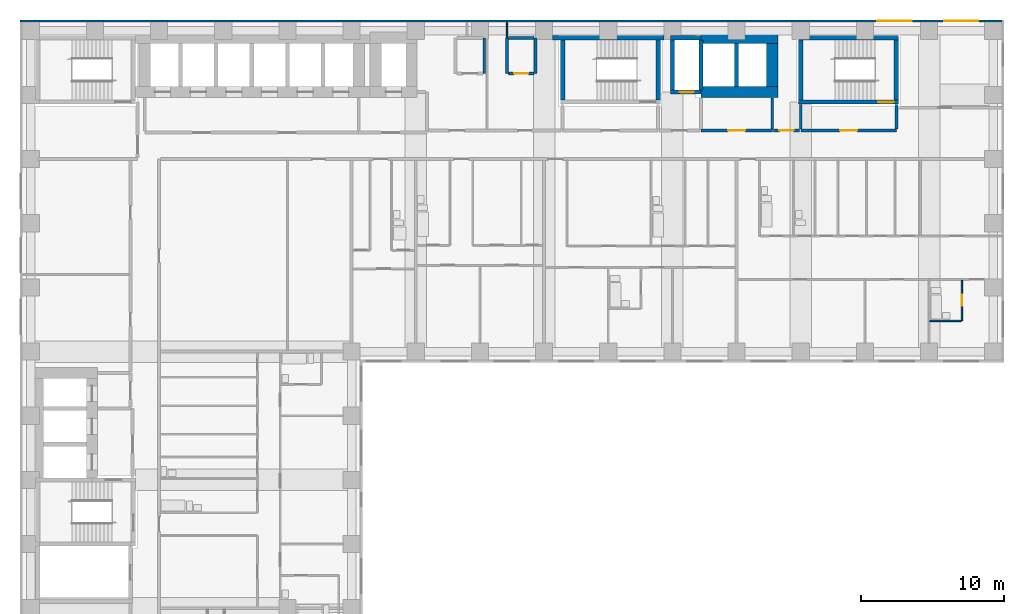
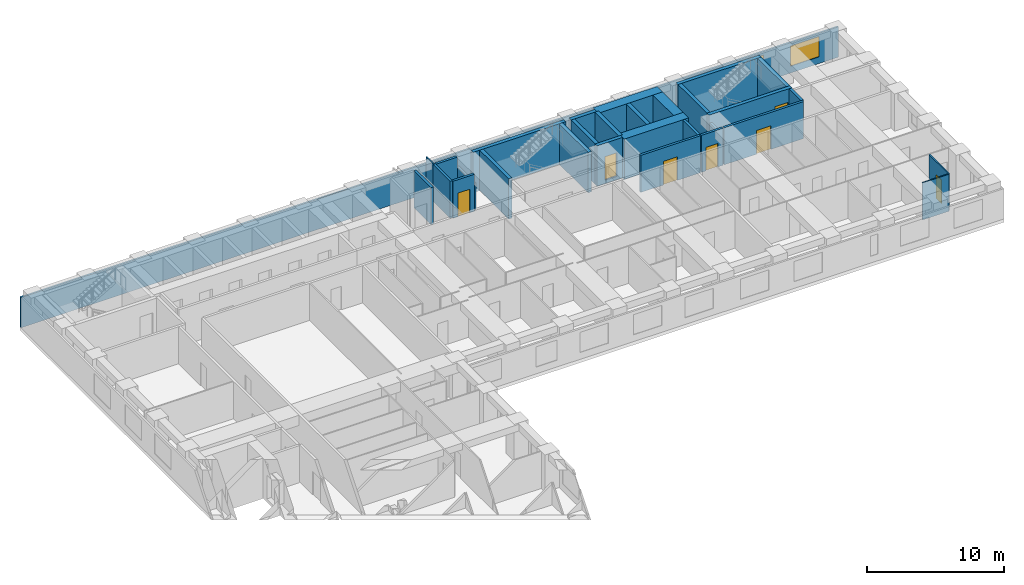
# One storey, part 8 of 12: 30 walls, 7 doors, 2 windows, 9 openings.
"""IFC4 building model written with IfcOpenShell, lengths in metres."""

from ifc_helpers import new_model, si_unit, direction, frame, frame_2d, origin, place, context, subcontext, project, spatial, rectangle, extrude, material, layer, layer_set, type_object, element, fill, save


model = new_model("IFC4")

# Units and contexts
model_context = context("Model", 3, precision=1e-05, world=origin(), true_north=direction((0.0, 1.0)))
body_context = subcontext(model_context, "Body", "Model", "MODEL_VIEW")
ifc_project = project(units=[si_unit("LENGTHUNIT", "METRE"), si_unit("AREAUNIT", "SQUARE_METRE"), si_unit("VOLUMEUNIT", "CUBIC_METRE"), si_unit("PLANEANGLEUNIT", "RADIAN"), si_unit("MASSUNIT", "GRAM", prefix="KILO")], contexts=[model_context])

# Site, building, storey
site_placement = place(None, origin())
site = spatial("IfcSite", under=ifc_project, at=site_placement, CompositionType="ELEMENT")
building_placement = place(site_placement, origin())
building = spatial("IfcBuilding", under=site, at=building_placement, Name="Firuza Court", CompositionType="ELEMENT")
storey_placement = place(building_placement, frame((0.0, 0.0, 101.0)))
storey = spatial("IfcBuildingStorey", under=building, at=storey_placement, Name="L25", CompositionType="ELEMENT", Elevation=101.0)

# Wall
ifc_material_1 = material(Name="Moisture-resistant gypsum board partition")
ifc_layer_1 = layer(ifc_material_1, 0.10009765625)
ifc_layer_set_1 = layer_set([ifc_layer_1], Name="Moisture-resistant gypsum board partition")
wall_type_1 = type_object("IfcWallType", Name="Bathroom partition 100", PredefinedType="PLUMBINGWALL", material=ifc_layer_set_1)
wall_1_placement = place(storey_placement, frame((63.050048828125, 38.14990234375, 0.0), z_axis=(0.0, 0.0, 1.0), x_axis=(1.0, 0.0, 0.0)))
element("IfcWall", 1, at=wall_1_placement, inside=storey, type_object=wall_type_1, Name="Bathroom partition 100 L25", PredefinedType="PLUMBINGWALL", context=body_context, shape_type="SweptSolid", body=[
    extrude(rectangle(XDim=2.199951171875, YDim=0.10009765625, at=frame_2d((1.10009765625, 0.0))), origin(), (0.0, 0.0, 1.0), 3.300048828125),
])

# Wall, opening, door
wall_2_placement = place(storey_placement, frame((65.300048828125, 38.14990234375, 0.0), z_axis=(0.0, 0.0, 1.0), x_axis=(0.0, 1.0, 0.0)))
wall_2 = element("IfcWall", 2, at=wall_2_placement, inside=storey, type_object=wall_type_1, Name="Bathroom partition 100 L25", PredefinedType="PLUMBINGWALL", context=body_context, shape_type="SweptSolid", body=[
    extrude(rectangle(XDim=2.85009765625, YDim=0.10009765625, at=frame_2d((1.425048828125, 0.0))), origin(), (0.0, 0.0, 1.0), 3.300048828125),
])
opening_1_placement = place(wall_2_placement, frame((1.050048828125, 0.0, 0.0)))
opening_1 = element("IfcOpeningElement", 3, at=opening_1_placement, cuts=wall_2, Name="Opening D25042", PredefinedType="OPENING", context=body_context, shape_type="SweptSolid", body=[
    extrude(rectangle(XDim=0.800048828125, YDim=2.10009765625, at=frame_2d((0.39990234375, 1.050048828125))), frame((0.0, 0.06201171875, 0.0), z_axis=(0.0, -1.0, 0.0), x_axis=(1.0, 0.0, 0.0)), (0.0, 0.0, 1.0), 0.1240234375),
])
ifc_material_2 = material(Name="Timber door leaf in hardwood frame", Category="wood")
door_type_1 = type_object("IfcDoorType", Name="Bathroom door 800", OperationType="SINGLE_SWING_LEFT", PredefinedType="DOOR", material=ifc_material_2)
door_1_placement = place(opening_1_placement, origin())
door_1 = element("IfcDoor", 4, at=door_1_placement, inside=storey, type_object=door_type_1, Name="En-suite door", OperationType="SINGLE_SWING_LEFT", OverallHeight=2.10009765625, OverallWidth=0.800048828125, PredefinedType="DOOR", context=body_context, shape_type="SweptSolid", body=[
    extrude(rectangle(XDim=0.800048828125, YDim=2.10009765625, at=frame_2d((0.39990234375, 1.050048828125))), frame((0.0, 0.02490234375, 0.0), z_axis=(0.0, -1.0, 0.0), x_axis=(1.0, 0.0, 0.0)), (0.0, 0.0, 1.0), 0.050048828125),
])
fill(opening_1, door_1)

# Walls
ifc_material_3 = material(Name="Concrete C60/75", Category="concrete")
ifc_layer_2 = layer(ifc_material_3, 0.300048828125)
ifc_layer_set_2 = layer_set([ifc_layer_2], Name="Concrete C60/75")
wall_type_2 = type_object("IfcWallType", Name="Core wall 300 C60/75", PredefinedType="SHEAR", material=ifc_layer_set_2)
wall_3_placement = place(storey_placement, frame((36.60009765625, 58.0, -0.300048828125), z_axis=(0.0, 0.0, 1.0), x_axis=(1.0, 0.0, 0.0)))
element("IfcWall", 5, at=wall_3_placement, inside=storey, type_object=wall_type_2, Name="Core wall stair L25", PredefinedType="SHEAR", context=body_context, shape_type="SweptSolid", body=[
    extrude(rectangle(XDim=7.7998046875, YDim=0.300048828125, at=frame_2d((3.89990234375, 0.0))), origin(), (0.0, 0.0, 1.0), 3.60009765625),
])
for number, where, z_axis, x_axis, name in (
    (6, (37.300048828125, 53.64990234375, -0.300048828125), (0.0, 0.0, 1.0), (0.0, 1.0, 0.0), "Core wall stair L25"),
    (7, (44.0, 53.64990234375, -0.300048828125), (0.0, 0.0, 1.0), (0.0, 1.0, 0.0), "Core wall stair L25"),
):
    element("IfcWall", number, at=place(storey_placement, frame(where, z_axis=z_axis, x_axis=x_axis)), inside=storey, type_object=wall_type_2, Name=name, PredefinedType="SHEAR", context=body_context, shape_type="SweptSolid", body=[
        extrude(rectangle(XDim=4.2001953125, YDim=0.300048828125, at=frame_2d((2.10009765625, 0.0))), origin(), (0.0, 0.0, 1.0), 3.60009765625),
    ])

# Wall, opening, door
wall_4_placement = place(storey_placement, frame((44.85009765625, 54.199951171875, -0.300048828125), z_axis=(0.0, 0.0, 1.0), x_axis=(1.0, 0.0, 0.0)))
wall_4 = element("IfcWall", 8, at=wall_4_placement, inside=storey, type_object=wall_type_2, Name="Core wall riser L25", PredefinedType="SHEAR", context=body_context, shape_type="SweptSolid", body=[
    extrude(rectangle(XDim=2.14990234375, YDim=0.300048828125, at=frame_2d((1.074951171875, 0.0))), origin(), (0.0, 0.0, 1.0), 3.60009765625),
])
opening_2_placement = place(wall_4_placement, frame((0.64990234375, 0.0, 0.300048828125)))
opening_2 = element("IfcOpeningElement", 9, at=opening_2_placement, cuts=wall_4, Name="Opening D25011", PredefinedType="OPENING", context=body_context, shape_type="SweptSolid", body=[
    extrude(rectangle(XDim=1.0, YDim=2.10009765625, at=frame_2d((0.5, 1.050048828125))), frame((0.0, 0.162109375, 0.0), z_axis=(0.0, -1.0, 0.0), x_axis=(1.0, 0.0, 0.0)), (0.0, 0.0, 1.0), 0.323974609375),
])
ifc_material_4 = material(Name="Timber door leaf in hardwood frame", Category="wood")
door_type_2 = type_object("IfcDoorType", Name="Riser door 1000", OperationType="SINGLE_SWING_LEFT", PredefinedType="DOOR", material=ifc_material_4)
door_2_placement = place(opening_2_placement, origin())
door_2 = element("IfcDoor", 10, at=door_2_placement, inside=storey, type_object=door_type_2, Name="Riser door R3", OperationType="SINGLE_SWING_LEFT", OverallHeight=2.10009765625, OverallWidth=1.0, PredefinedType="DOOR", context=body_context, shape_type="SweptSolid", body=[
    extrude(rectangle(XDim=1.0, YDim=2.10009765625, at=frame_2d((0.5, 1.050048828125))), frame((0.0, 0.02490234375, 0.0), z_axis=(0.0, -1.0, 0.0), x_axis=(1.0, 0.0, 0.0)), (0.0, 0.0, 1.0), 0.050048828125),
])
fill(opening_2, door_2)

# Walls
wall_5_placement = place(storey_placement, frame((44.85009765625, 58.0, -0.300048828125), z_axis=(0.0, 0.0, 1.0), x_axis=(1.0, 0.0, 0.0)))
element("IfcWall", 11, at=wall_5_placement, inside=storey, type_object=wall_type_2, Name="Core wall riser L25", PredefinedType="SHEAR", context=body_context, shape_type="SweptSolid", body=[
    extrude(rectangle(XDim=2.14990234375, YDim=0.300048828125, at=frame_2d((1.074951171875, 0.0))), origin(), (0.0, 0.0, 1.0), 3.60009765625),
])
for number, where, z_axis, x_axis, name in (
    (12, (45.0, 54.35009765625, -0.300048828125), (0.0, 0.0, 1.0), (0.0, 1.0, 0.0), "Core wall riser L25"),
    (13, (47.0, 54.35009765625, -0.300048828125), (0.0, 0.0, 1.0), (0.0, 1.0, 0.0), "Core wall lift shaft L25"),
):
    element("IfcWall", number, at=place(storey_placement, frame(where, z_axis=z_axis, x_axis=x_axis)), inside=storey, type_object=wall_type_2, Name=name, PredefinedType="SHEAR", context=body_context, shape_type="SweptSolid", body=[
        extrude(rectangle(XDim=3.5, YDim=0.300048828125, at=frame_2d((1.75, 0.0))), origin(), (0.0, 0.0, 1.0), 3.60009765625),
    ])
wall_6_placement = place(storey_placement, frame((49.5, 54.60009765625, -0.300048828125), z_axis=(0.0, 0.0, 1.0), x_axis=(0.0, 1.0, 0.0)))
element("IfcWall", 14, at=wall_6_placement, inside=storey, type_object=wall_type_2, Name="Core wall lift shaft L25", PredefinedType="SHEAR", context=body_context, shape_type="SweptSolid", body=[
    extrude(rectangle(XDim=3.0, YDim=0.300048828125, at=frame_2d((1.5, 0.0))), origin(), (0.0, 0.0, 1.0), 3.60009765625),
])

# Wall, opening, door
wall_7_placement = place(storey_placement, frame((53.85009765625, 53.5, -0.300048828125), z_axis=(0.0, 0.0, 1.0), x_axis=(1.0, 0.0, 0.0)))
wall_7 = element("IfcWall", 15, at=wall_7_placement, inside=storey, type_object=wall_type_2, Name="Core wall stair L25", PredefinedType="SHEAR", context=body_context, shape_type="SweptSolid", body=[
    extrude(rectangle(XDim=7.0, YDim=0.300048828125, at=frame_2d((3.5, 0.0))), origin(), (0.0, 0.0, 1.0), 3.60009765625),
])
opening_3_placement = place(wall_7_placement, frame((5.580078125, 0.0, 0.300048828125)))
opening_3 = element("IfcOpeningElement", 16, at=opening_3_placement, cuts=wall_7, Name="Opening D25017", PredefinedType="OPENING", context=body_context, shape_type="SweptSolid", body=[
    extrude(rectangle(XDim=1.10009765625, YDim=2.10009765625, at=frame_2d((0.550048828125, 1.050048828125))), frame((0.0, 0.162109375, 0.0), z_axis=(0.0, -1.0, 0.0), x_axis=(1.0, 0.0, 0.0)), (0.0, 0.0, 1.0), 0.323974609375),
])
ifc_material_5 = material(Name="Timber door leaf in hardwood frame", Category="wood")
door_type_3 = type_object("IfcDoorType", Name="Stair door 1100", OperationType="SINGLE_SWING_LEFT", PredefinedType="DOOR", material=ifc_material_5)
door_3_placement = place(opening_3_placement, origin())
door_3 = element("IfcDoor", 17, at=door_3_placement, inside=storey, type_object=door_type_3, Name="Stair door S4", OperationType="SINGLE_SWING_RIGHT", OverallHeight=2.10009765625, OverallWidth=1.10009765625, PredefinedType="DOOR", context=body_context, shape_type="SweptSolid", body=[
    extrude(rectangle(XDim=1.10009765625, YDim=2.10009765625, at=frame_2d((0.550048828125, 1.050048828125))), frame((0.0, 0.02490234375, 0.0), z_axis=(0.0, -1.0, 0.0), x_axis=(1.0, 0.0, 0.0)), (0.0, 0.0, 1.0), 0.050048828125),
])
fill(opening_3, door_3)

# Walls
wall_8_placement = place(storey_placement, frame((53.85009765625, 58.0, -0.300048828125), z_axis=(0.0, 0.0, 1.0), x_axis=(1.0, 0.0, 0.0)))
element("IfcWall", 18, at=wall_8_placement, inside=storey, type_object=wall_type_2, Name="Core wall stair L25", PredefinedType="SHEAR", context=body_context, shape_type="SweptSolid", body=[
    extrude(rectangle(XDim=7.0, YDim=0.300048828125, at=frame_2d((3.5, 0.0))), origin(), (0.0, 0.0, 1.0), 3.60009765625),
])
for number, where, z_axis, x_axis, name in (
    (19, (54.0, 53.64990234375, -0.300048828125), (0.0, 0.0, 1.0), (0.0, 1.0, 0.0), "Core wall stair L25"),
    (20, (60.699951171875, 53.64990234375, -0.300048828125), (0.0, 0.0, 1.0), (0.0, 1.0, 0.0), "Core wall stair L25"),
):
    element("IfcWall", number, at=place(storey_placement, frame(where, z_axis=z_axis, x_axis=x_axis)), inside=storey, type_object=wall_type_2, Name=name, PredefinedType="SHEAR", context=body_context, shape_type="SweptSolid", body=[
        extrude(rectangle(XDim=4.2001953125, YDim=0.300048828125, at=frame_2d((2.10009765625, 0.0))), origin(), (0.0, 0.0, 1.0), 3.60009765625),
    ])
ifc_layer_3 = layer(ifc_material_3, 0.800048828125)
ifc_layer_set_3 = layer_set([ifc_layer_3], Name="Concrete C60/75")
wall_type_3 = type_object("IfcWallType", Name="Core wall 800 C60/75", PredefinedType="SHEAR", material=ifc_layer_set_3)
for number, where, z_axis, x_axis, name in (
    (21, (47.0, 54.199951171875, -0.300048828125), (0.0, 0.0, 1.0), (1.0, 0.0, 0.0), "Core wall lift shaft L25"),
    (22, (47.0, 58.0, -0.300048828125), (0.0, 0.0, 1.0), (1.0, 0.0, 0.0), "Core wall lift shaft L25"),
):
    element("IfcWall", number, at=place(storey_placement, frame(where, z_axis=z_axis, x_axis=x_axis)), inside=storey, type_object=wall_type_3, Name=name, PredefinedType="SHEAR", context=body_context, shape_type="SweptSolid", body=[
        extrude(rectangle(XDim=5.39990234375, YDim=0.800048828125, at=frame_2d((2.699951171875, 0.0))), origin(), (0.0, 0.0, 1.0), 3.60009765625),
    ])
wall_9_placement = place(storey_placement, frame((52.0, 54.60009765625, -0.300048828125), z_axis=(0.0, 0.0, 1.0), x_axis=(0.0, 1.0, 0.0)))
element("IfcWall", 23, at=wall_9_placement, inside=storey, type_object=wall_type_3, Name="Core wall lift shaft L25", PredefinedType="SHEAR", context=body_context, shape_type="SweptSolid", body=[
    extrude(rectangle(XDim=3.0, YDim=0.800048828125, at=frame_2d((1.5, 0.0))), origin(), (0.0, 0.0, 1.0), 3.60009765625),
])

# Wall, opening, door
ifc_material_6 = material(Name="Blockwork, plastered both sides", Category="masonry")
ifc_layer_4 = layer(ifc_material_6, 0.199951171875)
ifc_layer_set_4 = layer_set([ifc_layer_4], Name="Blockwork, plastered both sides")
wall_type_4 = type_object("IfcWallType", Name="Corridor wall 200", PredefinedType="PARTITIONING", material=ifc_layer_set_4)
wall_10_placement = place(storey_placement, frame((52.10009765625, 51.5, 0.0), z_axis=(0.0, 0.0, 1.0), x_axis=(1.0, 0.0, 0.0)))
wall_10 = element("IfcWall", 24, at=wall_10_placement, inside=storey, type_object=wall_type_4, Name="Corridor wall 200 L25", PredefinedType="PARTITIONING", context=body_context, shape_type="SweptSolid", body=[
    extrude(rectangle(XDim=1.7998046875, YDim=0.199951171875, at=frame_2d((0.89990234375, 0.0))), origin(), (0.0, 0.0, 1.0), 3.300048828125),
])
opening_4_placement = place(wall_10_placement, frame((0.39990234375, 0.0, 0.0)))
opening_4 = element("IfcOpeningElement", 25, at=opening_4_placement, cuts=wall_10, Name="Opening D25077", PredefinedType="OPENING", context=body_context, shape_type="SweptSolid", body=[
    extrude(rectangle(XDim=1.0, YDim=2.10009765625, at=frame_2d((0.5, 1.050048828125))), frame((0.0, 0.11181640625, 0.0), z_axis=(0.0, -1.0, 0.0), x_axis=(1.0, 0.0, 0.0)), (0.0, 0.0, 1.0), 0.223876953125),
])
ifc_material_7 = material(Name="Timber door leaf in hardwood frame", Category="wood")
door_type_4 = type_object("IfcDoorType", Name="Store door 1000", OperationType="SINGLE_SWING_LEFT", PredefinedType="DOOR", material=ifc_material_7)
door_4_placement = place(opening_4_placement, origin())
door_4 = element("IfcDoor", 26, at=door_4_placement, inside=storey, type_object=door_type_4, Name="Cleaner's store door", OperationType="SINGLE_SWING_LEFT", OverallHeight=2.10009765625, OverallWidth=1.0, PredefinedType="DOOR", context=body_context, shape_type="SweptSolid", body=[
    extrude(rectangle(XDim=1.0, YDim=2.10009765625, at=frame_2d((0.5, 1.050048828125))), frame((0.0, 0.02490234375, 0.0), z_axis=(0.0, -1.0, 0.0), x_axis=(1.0, 0.0, 0.0)), (0.0, 0.0, 1.0), 0.050048828125),
])
fill(opening_4, door_4)

# Walls
ifc_material_8 = material(Name="Timber stud partition, plasterboard both sides", Category="wood")
ifc_layer_5 = layer(ifc_material_8, 0.10009765625)
ifc_layer_set_5 = layer_set([ifc_layer_5], Name="Timber stud partition, plasterboard both sides")
wall_type_5 = type_object("IfcWallType", Name="Partition wall 100", PredefinedType="PARTITIONING", material=ifc_layer_set_5)
wall_11_placement = place(storey_placement, frame((33.39990234375, 58.0, 0.0), z_axis=(0.0, 0.0, 1.0), x_axis=(0.0, 1.0, 0.0)))
element("IfcWall", 27, at=wall_11_placement, inside=storey, type_object=wall_type_5, Name="Partition wall 100 L25", PredefinedType="PARTITIONING", context=body_context, shape_type="SweptSolid", body=[
    extrude(rectangle(XDim=1.10009765625, YDim=0.10009765625, at=frame_2d((0.550048828125, 0.0))), origin(), (0.0, 0.0, 1.0), 3.300048828125),
])
ifc_material_9 = material(Name="Blockwork, fire-rated", Category="masonry")
ifc_layer_6 = layer(ifc_material_9, 0.199951171875)
ifc_layer_set_6 = layer_set([ifc_layer_6], Name="Blockwork, fire-rated")
wall_type_6 = type_object("IfcWallType", Name="Plant room wall 200", PredefinedType="PARTITIONING", material=ifc_layer_set_6)
for number, where, z_axis, x_axis, name in (
    (28, (31.800048828125, 55.5, 0.0), (0.0, 0.0, 1.0), (0.0, 1.0, 0.0), "Plant room wall 200 L25"),
    (29, (33.39990234375, 55.5, 0.0), (0.0, 0.0, 1.0), (0.0, 1.0, 0.0), "Plant room wall 200 L25"),
):
    element("IfcWall", number, at=place(storey_placement, frame(where, z_axis=z_axis, x_axis=x_axis)), inside=storey, type_object=wall_type_6, Name=name, PredefinedType="PARTITIONING", context=body_context, shape_type="SweptSolid", body=[
        extrude(rectangle(XDim=2.5, YDim=0.199951171875, at=frame_2d((1.25, 0.0))), origin(), (0.0, 0.0, 1.0), 3.300048828125),
    ])

# Wall, opening, door
wall_12_placement = place(storey_placement, frame((33.5, 55.5, 0.0), z_axis=(0.0, 0.0, 1.0), x_axis=(1.0, 0.0, 0.0)))
wall_12 = element("IfcWall", 30, at=wall_12_placement, inside=storey, type_object=wall_type_6, Name="Plant room wall 200 L25", PredefinedType="PARTITIONING", context=body_context, shape_type="SweptSolid", body=[
    extrude(rectangle(XDim=1.800048828125, YDim=0.199951171875, at=frame_2d((0.89990234375, 0.0))), origin(), (0.0, 0.0, 1.0), 3.300048828125),
])
opening_5_placement = place(wall_12_placement, frame((0.39990234375, 0.0, 0.0)))
opening_5 = element("IfcOpeningElement", 31, at=opening_5_placement, cuts=wall_12, Name="Opening D25080", PredefinedType="OPENING", context=body_context, shape_type="SweptSolid", body=[
    extrude(rectangle(XDim=1.0, YDim=2.10009765625, at=frame_2d((0.5, 1.050048828125))), frame((0.0, 0.11181640625, 0.0), z_axis=(0.0, -1.0, 0.0), x_axis=(1.0, 0.0, 0.0)), (0.0, 0.0, 1.0), 0.223876953125),
])
door_5_placement = place(opening_5_placement, origin())
door_5 = element("IfcDoor", 32, at=door_5_placement, inside=storey, type_object=door_type_2, Name="Duct riser door", OperationType="SINGLE_SWING_LEFT", OverallHeight=2.10009765625, OverallWidth=1.0, PredefinedType="DOOR", context=body_context, shape_type="SweptSolid", body=[
    extrude(rectangle(XDim=1.0, YDim=2.10009765625, at=frame_2d((0.5, 1.050048828125))), frame((0.0, 0.02490234375, 0.0), z_axis=(0.0, -1.0, 0.0), x_axis=(1.0, 0.0, 0.0)), (0.0, 0.0, 1.0), 0.050048828125),
])
fill(opening_5, door_5)

# Walls
wall_13_placement = place(storey_placement, frame((35.39990234375, 55.5, 0.0), z_axis=(0.0, 0.0, 1.0), x_axis=(0.0, 1.0, 0.0)))
element("IfcWall", 33, at=wall_13_placement, inside=storey, type_object=wall_type_6, Name="Plant room wall 200 L25", PredefinedType="PARTITIONING", context=body_context, shape_type="SweptSolid", body=[
    extrude(rectangle(XDim=2.5, YDim=0.199951171875, at=frame_2d((1.25, 0.0))), origin(), (0.0, 0.0, 1.0), 2.39990234375),
])
wall_14_placement = place(storey_placement, frame((33.5, 58.0, 0.0), z_axis=(0.0, 0.0, 1.0), x_axis=(1.0, 0.0, 0.0)))
element("IfcWall", 34, at=wall_14_placement, inside=storey, type_object=wall_type_6, Name="Plant room wall 200 L25", PredefinedType="PARTITIONING", context=body_context, shape_type="SweptSolid", body=[
    extrude(rectangle(XDim=1.800048828125, YDim=0.199951171875, at=frame_2d((0.89990234375, 0.0))), origin(), (0.0, 0.0, 1.0), 3.300048828125),
])

# Wall, openings, windows
ifc_material_10 = material(Name="Ceramic tile", Category="ceramic")
ifc_layer_7 = layer(ifc_material_10, 0.02001953125)
ifc_material_11 = material(Name="Mineral wool insulation", Category="insulation")
ifc_layer_8 = layer(ifc_material_11, 0.050048828125)
ifc_material_12 = material(Name="Concrete C40/50 precast", Category="concrete")
ifc_layer_9 = layer(ifc_material_12, 0.080078125)
ifc_layer_set_7 = layer_set([ifc_layer_7, ifc_layer_8, ifc_layer_9], Name="Concrete C40/50 precast")
wall_type_7 = type_object("IfcWallType", Name="Precast cladding wall with turquoise TILE PANEL face 150", PredefinedType="STANDARD", material=ifc_layer_set_7)
wall_15_placement = place(storey_placement, frame((68.10009765625, 59.175048828125, 0.0), z_axis=(0.0, 0.0, 1.0), x_axis=(-1.0, 0.0, 0.0)))
wall_15 = element("IfcWall", 35, at=wall_15_placement, inside=storey, type_object=wall_type_7, Name="Facade wall L25 N", PredefinedType="STANDARD", context=body_context, shape_type="SweptSolid", body=[
    extrude(rectangle(XDim=68.85009765625, YDim=0.14990234375, at=frame_2d((34.425048828125, 0.0))), origin(), (0.0, 0.0, 1.0), 2.699951171875),
])
opening_6_placement = place(wall_15_placement, frame((1.64990234375, 0.0, 0.60009765625)))
opening_6 = element("IfcOpeningElement", 36, at=opening_6_placement, cuts=wall_15, Name="Opening W1", PredefinedType="OPENING", context=body_context, shape_type="SweptSolid", body=[
    extrude(rectangle(XDim=2.39990234375, YDim=1.800048828125, at=frame_2d((1.199951171875, 0.89990234375))), frame((0.0, 0.0869140625, 0.0), z_axis=(0.0, -1.0, 0.0), x_axis=(1.0, 0.0, 0.0)), (0.0, 0.0, 1.0), 0.173828125),
])
opening_7_placement = place(wall_15_placement, frame((6.323974609375, 0.0, 0.60009765625)))
opening_7 = element("IfcOpeningElement", 37, at=opening_7_placement, cuts=wall_15, Name="Opening W1", PredefinedType="OPENING", context=body_context, shape_type="SweptSolid", body=[
    extrude(rectangle(XDim=2.39990234375, YDim=1.800048828125, at=frame_2d((1.199951171875, 0.89990234375))), frame((0.0, 0.0869140625, 0.0), z_axis=(0.0, -1.0, 0.0), x_axis=(1.0, 0.0, 0.0)), (0.0, 0.0, 1.0), 0.173828125),
])
ifc_material_13 = material(Name="Aluminium frame, triple clear glazing", Category="aluminium")
window_type = type_object("IfcWindowType", Name="Window W1 2400 x 1800", PartitioningType="SINGLE_PANEL", PredefinedType="WINDOW", material=ifc_material_13)
window_1_placement = place(opening_6_placement, origin())
window_1 = element("IfcWindow", 38, at=window_1_placement, inside=storey, type_object=window_type, Name="Window L25", OverallHeight=1.800048828125, OverallWidth=2.39990234375, PartitioningType="SINGLE_PANEL", PredefinedType="WINDOW", context=body_context, shape_type="SweptSolid", body=[
    extrude(rectangle(XDim=2.39990234375, YDim=1.800048828125, at=frame_2d((1.199951171875, 0.89990234375))), frame((0.0, 0.030029296875, 0.0), z_axis=(0.0, -1.0, 0.0), x_axis=(1.0, 0.0, 0.0)), (0.0, 0.0, 1.0), 0.06005859375),
])
fill(opening_6, window_1)
window_2_placement = place(opening_7_placement, origin())
window_2 = element("IfcWindow", 39, at=window_2_placement, inside=storey, type_object=window_type, Name="Window L25", OverallHeight=1.800048828125, OverallWidth=2.39990234375, PartitioningType="SINGLE_PANEL", PredefinedType="WINDOW", context=body_context, shape_type="SweptSolid", body=[
    extrude(rectangle(XDim=2.39990234375, YDim=1.800048828125, at=frame_2d((1.199951171875, 0.89990234375))), frame((0.0, 0.030029296875, 0.0), z_axis=(0.0, -1.0, 0.0), x_axis=(1.0, 0.0, 0.0)), (0.0, 0.0, 1.0), 0.06005859375),
])
fill(opening_7, window_2)

# Wall, opening, door
ifc_layer_10 = layer(ifc_material_9, 0.199951171875)
ifc_layer_set_8 = layer_set([ifc_layer_10], Name="Blockwork, fire-rated")
wall_type_8 = type_object("IfcWallType", Name="Shaft wall 200", PredefinedType="PARTITIONING", material=ifc_layer_set_8)
wall_16_placement = place(storey_placement, frame((47.0, 51.5, 0.0), z_axis=(0.0, 0.0, 1.0), x_axis=(1.0, 0.0, 0.0)))
wall_16 = element("IfcWall", 40, at=wall_16_placement, inside=storey, type_object=wall_type_8, Name="Shaft wall 200 L25", PredefinedType="PARTITIONING", context=body_context, shape_type="SweptSolid", body=[
    extrude(rectangle(XDim=5.0, YDim=0.199951171875, at=frame_2d((2.5, 0.0))), origin(), (0.0, 0.0, 1.0), 3.300048828125),
])
opening_8_placement = place(wall_16_placement, frame((1.89990234375, 0.0, 0.0)))
opening_8 = element("IfcOpeningElement", 41, at=opening_8_placement, cuts=wall_16, Name="Opening D25009", PredefinedType="OPENING", context=body_context, shape_type="SweptSolid", body=[
    extrude(rectangle(XDim=1.199951171875, YDim=2.10009765625, at=frame_2d((0.60009765625, 1.050048828125))), frame((0.0, 0.11181640625, 0.0), z_axis=(0.0, -1.0, 0.0), x_axis=(1.0, 0.0, 0.0)), (0.0, 0.0, 1.0), 0.223876953125),
])
ifc_material_14 = material(Name="Timber door leaf in hardwood frame", Category="wood")
door_type_5 = type_object("IfcDoorType", Name="Lobby door 1200", OperationType="SINGLE_SWING_LEFT", PredefinedType="DOOR", material=ifc_material_14)
door_6_placement = place(opening_8_placement, origin())
door_6 = element("IfcDoor", 42, at=door_6_placement, inside=storey, type_object=door_type_5, Name="Lobby door", OperationType="SINGLE_SWING_LEFT", OverallHeight=2.10009765625, OverallWidth=1.199951171875, PredefinedType="DOOR", context=body_context, shape_type="SweptSolid", body=[
    extrude(rectangle(XDim=1.199951171875, YDim=2.10009765625, at=frame_2d((0.60009765625, 1.050048828125))), frame((0.0, 0.02490234375, 0.0), z_axis=(0.0, -1.0, 0.0), x_axis=(1.0, 0.0, 0.0)), (0.0, 0.0, 1.0), 0.050048828125),
])
fill(opening_8, door_6)

# Wall
wall_17_placement = place(storey_placement, frame((52.0, 51.60009765625, 0.0), z_axis=(0.0, 0.0, 1.0), x_axis=(0.0, 1.0, 0.0)))
element("IfcWall", 43, at=wall_17_placement, inside=storey, type_object=wall_type_8, Name="Shaft wall 200 L25", PredefinedType="PARTITIONING", context=body_context, shape_type="SweptSolid", body=[
    extrude(rectangle(XDim=2.179931640625, YDim=0.199951171875, at=frame_2d((1.08984375, 0.0))), origin(), (0.0, 0.0, 1.0), 3.300048828125),
])

# Wall, opening, door
wall_18_placement = place(storey_placement, frame((54.0, 51.5, 0.0), z_axis=(0.0, 0.0, 1.0), x_axis=(1.0, 0.0, 0.0)))
wall_18 = element("IfcWall", 44, at=wall_18_placement, inside=storey, type_object=wall_type_8, Name="Shaft wall 200 L25", PredefinedType="PARTITIONING", context=body_context, shape_type="SweptSolid", body=[
    extrude(rectangle(XDim=6.699951171875, YDim=0.199951171875, at=frame_2d((3.35009765625, 0.0))), origin(), (0.0, 0.0, 1.0), 3.300048828125),
])
opening_9_placement = place(wall_18_placement, frame((2.75, 0.0, 0.0)))
opening_9 = element("IfcOpeningElement", 45, at=opening_9_placement, cuts=wall_18, Name="Opening D25007", PredefinedType="OPENING", context=body_context, shape_type="SweptSolid", body=[
    extrude(rectangle(XDim=1.199951171875, YDim=2.10009765625, at=frame_2d((0.60009765625, 1.050048828125))), frame((0.0, 0.11181640625, 0.0), z_axis=(0.0, -1.0, 0.0), x_axis=(1.0, 0.0, 0.0)), (0.0, 0.0, 1.0), 0.223876953125),
])
door_7_placement = place(opening_9_placement, origin())
door_7 = element("IfcDoor", 46, at=door_7_placement, inside=storey, type_object=door_type_5, Name="Lobby door", OperationType="SINGLE_SWING_LEFT", OverallHeight=2.10009765625, OverallWidth=1.199951171875, PredefinedType="DOOR", context=body_context, shape_type="SweptSolid", body=[
    extrude(rectangle(XDim=1.199951171875, YDim=2.10009765625, at=frame_2d((0.60009765625, 1.050048828125))), frame((0.0, 0.02490234375, 0.0), z_axis=(0.0, -1.0, 0.0), x_axis=(1.0, 0.0, 0.0)), (0.0, 0.0, 1.0), 0.050048828125),
])
fill(opening_9, door_7)

# Walls
wall_19_placement = place(storey_placement, frame((60.699951171875, 51.60009765625, 0.0), z_axis=(0.0, 0.0, 1.0), x_axis=(0.0, 1.0, 0.0)))
element("IfcWall", 47, at=wall_19_placement, inside=storey, type_object=wall_type_8, Name="Shaft wall 200 L25", PredefinedType="PARTITIONING", context=body_context, shape_type="SweptSolid", body=[
    extrude(rectangle(XDim=1.72998046875, YDim=0.199951171875, at=frame_2d((0.864990234375, 0.0))), origin(), (0.0, 0.0, 1.0), 3.300048828125),
])
wall_20_placement = place(storey_placement, frame((54.0, 51.60009765625, 0.0), z_axis=(0.0, 0.0, 1.0), x_axis=(0.0, 1.0, 0.0)))
element("IfcWall", 48, at=wall_20_placement, inside=storey, type_object=wall_type_8, Name="Shaft wall 200 L25", PredefinedType="PARTITIONING", context=body_context, shape_type="SweptSolid", body=[
    extrude(rectangle(XDim=1.72998046875, YDim=0.199951171875, at=frame_2d((0.864990234375, 0.0))), origin(), (0.0, 0.0, 1.0), 2.60009765625),
])

save(model, "model.ifc")
